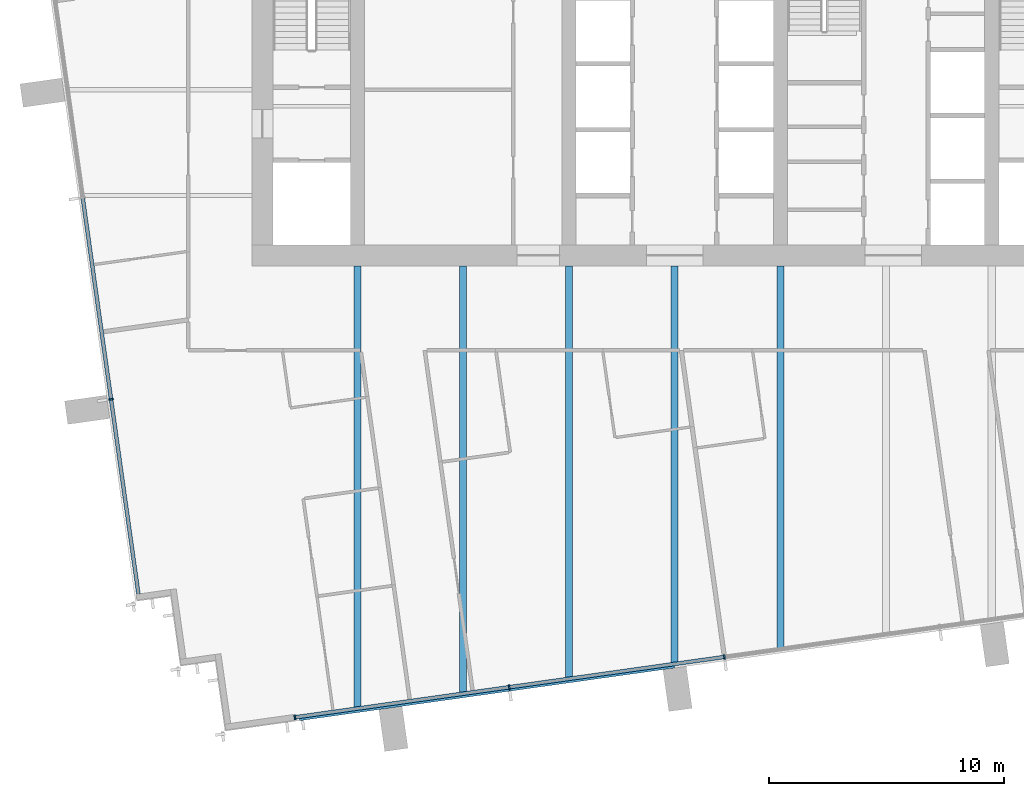
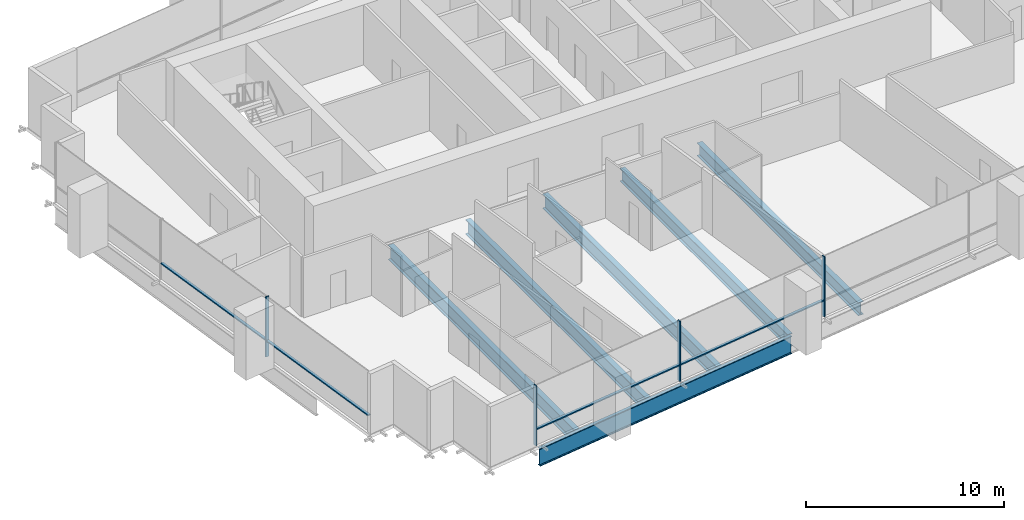
# One storey, part 2 of 12: 8 members, 6 beams, 2 elements without a shape of their own.
"""IFC4 building model written with IfcOpenShell, lengths in metres."""

import ifcopenshell
import ifcopenshell.guid

model = None  # the IFC model being written
_history = None  # IfcOwnerHistory: only IFC2X3 demands one
_inside = {}  # id of a spatial element -> (the spatial element, [elements in it])
_under = {}  # id of a project, library or spatial element -> (it, [spatial elements below it])
_declared = {}  # id of a project -> (the project, [libraries it declares])
_typed = {}  # id of a type object -> (the type object, [elements of that type])
_made_of = {}  # id of a material, layer set ... -> (it, [elements and type objects made of it])


def new_model(schema):
    """Start an empty IFC model of exactly this schema.

    Asked for "IFC4X3", IfcOpenShell would pick the latest addendum, in which some entities
    have other attributes; the version numbers below select the first issue.
    IFC2X3 requires an IfcOwnerHistory on every rooted entity: one is made here for all.
    """
    global model, _history
    if schema == "IFC4X3":
        model = ifcopenshell.file(schema_version=(4, 3, 0, 0))
    else:
        model = ifcopenshell.file(schema=schema)
    _inside.clear()
    _under.clear()
    _declared.clear()
    _typed.clear()
    _made_of.clear()
    _history = None
    if model.schema == "IFC2X3":
        org = make("IfcOrganization", Name="unknown")
        user = make(
            "IfcPersonAndOrganization",
            ThePerson=make("IfcPerson", FamilyName="unknown"),
            TheOrganization=org,
        )
        app = make(
            "IfcApplication",
            ApplicationDeveloper=org,
            Version="unknown",
            ApplicationFullName="unknown",
            ApplicationIdentifier="unknown",
        )
        _history = make(
            "IfcOwnerHistory",
            OwningUser=user,
            OwningApplication=app,
            ChangeAction="ADDED",
            CreationDate=0,
        )
    return model


def make(cls, **values):
    """One entity of the class cls with the attributes given. An attribute that is None is left unset."""
    return model.create_entity(
        cls, **{name: value for name, value in values.items() if value is not None}
    )


def rooted(cls, **values):
    """An entity with a GlobalId (a new one), such as an element, a storey or a relation."""
    return make(cls, GlobalId=ifcopenshell.guid.new(), OwnerHistory=_history, **values)


def si_unit(unit_type, name, prefix=None):
    """IfcSIUnit, for example si_unit("LENGTHUNIT", "METRE", prefix="MILLI")."""
    return make("IfcSIUnit", UnitType=unit_type, Prefix=prefix, Name=name)


def assignment(units):
    """IfcUnitAssignment: the units of a project."""
    return None if units is None else make("IfcUnitAssignment", Units=units)


def point(xyz):
    """IfcCartesianPoint."""
    return None if xyz is None else make("IfcCartesianPoint", Coordinates=xyz)


def direction(xyz):
    """IfcDirection."""
    return None if xyz is None else make("IfcDirection", DirectionRatios=xyz)


def frame(location, z_axis=None, x_axis=None):
    """IfcAxis2Placement3D, a coordinate frame: its origin and axes. An axis left out is left unset."""
    return make(
        "IfcAxis2Placement3D",
        Location=point(location),
        Axis=direction(z_axis),
        RefDirection=direction(x_axis),
    )


def frame_2d(location, x_axis=None):
    """IfcAxis2Placement2D, a coordinate frame in the plane: its origin and x axis."""
    return make(
        "IfcAxis2Placement2D", Location=point(location), RefDirection=direction(x_axis)
    )


def origin():
    """The frame at (0, 0, 0) with its axes left unset."""
    return frame((0.0, 0.0, 0.0))


def origin_2d():
    """The frame at (0, 0) in the plane with its x axis left unset."""
    return frame_2d((0.0, 0.0))


def place(relative_to, where):
    """IfcLocalPlacement: puts the frame where relative to a parent placement (None: the world)."""
    return make(
        "IfcLocalPlacement", PlacementRelTo=relative_to, RelativePlacement=where
    )


def context(
    kind, dimensions, precision=None, world=None, true_north=None, identifier=None
):
    """IfcGeometricRepresentationContext, for example the 3D "Model" context."""
    return make(
        "IfcGeometricRepresentationContext",
        ContextIdentifier=identifier,
        ContextType=kind,
        CoordinateSpaceDimension=dimensions,
        Precision=precision,
        WorldCoordinateSystem=world,
        TrueNorth=true_north,
    )


def subcontext(parent, identifier, kind, view, scale=None):
    """IfcGeometricRepresentationSubContext, for example "Body" below "Model"."""
    return make(
        "IfcGeometricRepresentationSubContext",
        ContextIdentifier=identifier,
        ContextType=kind,
        ParentContext=parent,
        TargetScale=scale,
        TargetView=view,
    )


def project(units=None, contexts=None):
    """IfcProject with its units and contexts."""
    return rooted(
        "IfcProject",
        Name="project",
        RepresentationContexts=contexts,
        UnitsInContext=assignment(units),
    )


def spatial(cls, under=None, at=None, **own):
    """A site, building, storey or space (cls), placed at a placement, below another one or the project."""
    s = rooted(cls, ObjectPlacement=at, **own)
    if under is not None:
        _under.setdefault(under.id(), (under, []))[1].append(s)
    return s


def profile(cls, at=None, kind="AREA", **sizes):
    """A parametric profile (cls). Its sizes go by their IFC names, for example OverallWidth=200.0."""
    return make(cls, ProfileType=kind, Position=at, **sizes)


def rectangle(**sizes):
    """IfcRectangleProfileDef."""
    return profile("IfcRectangleProfileDef", **sizes)


def i_section(**sizes):
    """IfcIShapeProfileDef."""
    return profile("IfcIShapeProfileDef", **sizes)


def extrude(swept, where, along, depth):
    """IfcExtrudedAreaSolid: the profile swept, set in the frame where, extruded along a direction by depth."""
    return make(
        "IfcExtrudedAreaSolid",
        SweptArea=swept,
        Position=where,
        ExtrudedDirection=direction(along),
        Depth=depth,
    )


def shape(context_of_items, identifier, shape_type, items):
    """IfcShapeRepresentation: the items that make up one representation, for example the "Body"."""
    return make(
        "IfcShapeRepresentation",
        ContextOfItems=context_of_items,
        RepresentationIdentifier=identifier,
        RepresentationType=shape_type,
        Items=items,
    )


def material(Name=None, Category=None):
    """IfcMaterial."""
    return make("IfcMaterial", Name=Name, Category=Category)


def layer(
    of_material, thickness, ventilated=None, Name=None, Category=None, Priority=None
):
    """IfcMaterialLayer: one layer of a wall or slab, of a material (None: an air gap)."""
    return make(
        "IfcMaterialLayer",
        Material=of_material,
        LayerThickness=thickness,
        IsVentilated=ventilated,
        Name=Name,
        Category=Category,
        Priority=Priority,
    )


def layer_set(layers, Name=None):
    """IfcMaterialLayerSet."""
    return make("IfcMaterialLayerSet", MaterialLayers=layers, LayerSetName=Name)


def material_profile(
    of_material, cross_section, Name=None, Category=None, Priority=None
):
    """IfcMaterialProfile: a cross section and its material."""
    return make(
        "IfcMaterialProfile",
        Name=Name,
        Material=of_material,
        Profile=cross_section,
        Priority=Priority,
        Category=Category,
    )


def profile_set(profiles, Name=None, composite=None):
    """IfcMaterialProfileSet."""
    return make(
        "IfcMaterialProfileSet",
        Name=Name,
        MaterialProfiles=profiles,
        CompositeProfile=composite,
    )


def made_of(thing, what):
    """Note that an element or type object is made of a material, layer set ...; save() writes the relation."""
    if what is not None:
        _made_of.setdefault(what.id(), (what, []))[1].append(thing)
    return thing


def type_object(cls, material=None, **own):
    """A type object (cls), such as IfcWallType, which elements share."""
    return made_of(rooted(cls, **own), material)


def element(
    cls,
    number,
    at=None,
    inside=None,
    cuts=None,
    type_object=None,
    material=None,
    context=None,
    identifier="Body",
    shape_type=None,
    held_by="IfcProductDefinitionShape",
    body=None,
    shapes=None,
    **own,
):
    """One element of the class cls, such as IfcWall. Its Tag is "e" and its number.

    at: its placement. inside: the storey or other place that contains it. cuts: it is an
    opening in that element (IfcRelVoidsElement). A single representation is given by context,
    identifier, shape_type and body (its items); several are given by shapes. held_by: the class
    of the entity that holds the representations. save() writes the other relations.
    """
    e = rooted(cls, Tag="e%d" % number, ObjectPlacement=at, **own)
    if body is not None:
        shapes = [shape(context, identifier, shape_type, body)]
    if shapes is not None:
        e.Representation = make(held_by, Representations=shapes)
    if inside is not None:
        _inside.setdefault(inside.id(), (inside, []))[1].append(e)
    if cuts is not None:
        rooted(
            "IfcRelVoidsElement", RelatingBuildingElement=cuts, RelatedOpeningElement=e
        )
    if type_object is not None:
        _typed.setdefault(type_object.id(), (type_object, []))[1].append(e)
    return made_of(e, material)


def aggregate(whole, parts):
    """IfcRelAggregates: a whole, such as a stair, and the parts it consists of."""
    return rooted("IfcRelAggregates", RelatingObject=whole, RelatedObjects=parts)


def save(model, path):
    """Write the relations noted so far, then the file.

    IfcRelAggregates (storeys below a building ...), IfcRelContainedInSpatialStructure (elements
    in a storey), IfcRelDefinesByType, IfcRelAssociatesMaterial and IfcRelDeclares: one each for
    every whole, place, type object, material and project.
    """
    for whole, parts in _under.values():
        aggregate(whole, parts)
    for where, things in _inside.values():
        rooted(
            "IfcRelContainedInSpatialStructure",
            RelatedElements=things,
            RelatingStructure=where,
        )
    for kind, things in _typed.values():
        rooted("IfcRelDefinesByType", RelatedObjects=things, RelatingType=kind)
    for what, things in _made_of.values():
        rooted("IfcRelAssociatesMaterial", RelatedObjects=things, RelatingMaterial=what)
    for by, libraries in _declared.values():
        rooted("IfcRelDeclares", RelatingContext=by, RelatedDefinitions=libraries)
    model.write(path)


model = new_model("IFC4")

# Units and contexts
model_context = context("Model", 3, precision=1e-05, world=origin(), true_north=direction((0.0, 1.0)))
body_context = subcontext(model_context, "Body", "Model", "MODEL_VIEW")
ifc_project = project(units=[si_unit("LENGTHUNIT", "METRE"), si_unit("AREAUNIT", "SQUARE_METRE"), si_unit("VOLUMEUNIT", "CUBIC_METRE"), si_unit("PLANEANGLEUNIT", "RADIAN"), si_unit("MASSUNIT", "GRAM", prefix="KILO")], contexts=[model_context])

# Site, building, storey
site_placement = place(None, origin())
site = spatial("IfcSite", under=ifc_project, at=site_placement, CompositionType="ELEMENT")
building_placement = place(site_placement, origin())
building = spatial("IfcBuilding", under=site, at=building_placement, Name="Rattan Terrace Tower", CompositionType="ELEMENT")
storey_placement = place(building_placement, frame((0.0, 0.0, 270.699951171875)))
storey = spatial("IfcBuildingStorey", under=building, at=storey_placement, Name="L62", CompositionType="ELEMENT", Elevation=270.699951171875)

# Beams
ifc_material_1 = material(Name="Steel S460", Category="steel")
ifc_material_profile_1 = material_profile(ifc_material_1, i_section(OverallWidth=0.179931640625, OverallDepth=1.10009765625, WebThickness=0.01611328125, FlangeThickness=0.050048828125, at=origin_2d()), Name="PG 1100x180-16-50")
ifc_profile_set_1 = profile_set([ifc_material_profile_1], Name="Steel S460")
beam_type_1 = type_object("IfcBeamType", Name="Frame edge girder PG 1100x180-16-50", PredefinedType="SPANDREL", material=ifc_profile_set_1)
beam_1_placement = place(storey_placement, frame((-15.969970703125, -26.77099609375, -0.75), z_axis=(0.990265456284, 0.139191688294, 0.0), x_axis=(-0.139191688294, 0.990265456284, 0.0)))
element("IfcBeam", 1, at=beam_1_placement, inside=storey, type_object=beam_type_1, Name="gdr-L62-001", PredefinedType="SPANDREL", context=body_context, shape_type="SweptSolid", body=[
    extrude(i_section(OverallWidth=0.179931640625, OverallDepth=1.10009765625, WebThickness=0.01611328125, FlangeThickness=0.050048828125, at=origin_2d()), origin(), (0.0, 0.0, 1.0), 16.114013671875),
])
ifc_material_2 = material(Name="Steel S355", Category="steel")
ifc_material_profile_2 = material_profile(ifc_material_2, i_section(OverallWidth=0.300048828125, OverallDepth=0.800048828125, WebThickness=0.017578125, FlangeThickness=0.032958984375, FilletRadius=0.030029296875, at=origin_2d()), Name="HE 800 B")
ifc_profile_set_2 = profile_set([ifc_material_profile_2], Name="Steel S355")
beam_type_2 = type_object("IfcBeamType", Name="Frame floor beam HE 800 B", PredefinedType="JOIST", material=ifc_profile_set_2)
beam_2_placement = place(storey_placement, frame((0.0, -24.4140625, -0.599853515625), z_axis=(0.0, 1.0, 0.0), x_axis=(-1.0, 0.0, 0.0)))
element("IfcBeam", 2, at=beam_2_placement, inside=storey, type_object=beam_type_2, Name="bm-L62-006", PredefinedType="JOIST", context=body_context, shape_type="SweptSolid", body=[
    extrude(i_section(OverallWidth=0.300048828125, OverallDepth=0.800048828125, WebThickness=0.017578125, FlangeThickness=0.032958984375, FilletRadius=0.030029296875, at=origin_2d()), origin(), (0.0, 0.0, 1.0), 16.9140625),
])
beam_3_placement = place(storey_placement, frame((4.5, -23.781982421875, -0.599853515625), z_axis=(0.0, 1.0, 0.0), x_axis=(-1.0, 0.0, 0.0)))
element("IfcBeam", 3, at=beam_3_placement, inside=storey, type_object=beam_type_2, Name="bm-L62-007", PredefinedType="JOIST", context=body_context, shape_type="SweptSolid", body=[
    extrude(i_section(OverallWidth=0.300048828125, OverallDepth=0.800048828125, WebThickness=0.017578125, FlangeThickness=0.032958984375, FilletRadius=0.030029296875, at=origin_2d()), origin(), (0.0, 0.0, 1.0), 16.281982421875),
])
ifc_material_3 = material(Name="Steel S355", Category="steel")
ifc_material_profile_3 = material_profile(ifc_material_3, i_section(OverallWidth=0.300048828125, OverallDepth=0.89990234375, WebThickness=0.0185546875, FlangeThickness=0.034912109375, FilletRadius=0.030029296875, at=origin_2d()), Name="HE 900 B")
ifc_profile_set_3 = profile_set([ifc_material_profile_3], Name="Steel S355")
beam_type_3 = type_object("IfcBeamType", Name="Frame floor beam HE 900 B", PredefinedType="JOIST", material=ifc_profile_set_3)
beam_4_placement = place(storey_placement, frame((-13.5, -26.31201171875, -0.64990234375), z_axis=(0.0, 1.0, 0.0), x_axis=(-1.0, 0.0, 0.0)))
element("IfcBeam", 4, at=beam_4_placement, inside=storey, type_object=beam_type_3, Name="bm-L62-003", PredefinedType="JOIST", context=body_context, shape_type="SweptSolid", body=[
    extrude(i_section(OverallWidth=0.300048828125, OverallDepth=0.89990234375, WebThickness=0.0185546875, FlangeThickness=0.034912109375, FilletRadius=0.030029296875, at=origin_2d()), origin(), (0.0, 0.0, 1.0), 18.81201171875),
])
beam_5_placement = place(storey_placement, frame((-9.0, -25.678955078125, -0.64990234375), z_axis=(0.0, 1.0, 0.0), x_axis=(-1.0, 0.0, 0.0)))
element("IfcBeam", 5, at=beam_5_placement, inside=storey, type_object=beam_type_3, Name="bm-L62-004", PredefinedType="JOIST", context=body_context, shape_type="SweptSolid", body=[
    extrude(i_section(OverallWidth=0.300048828125, OverallDepth=0.89990234375, WebThickness=0.0185546875, FlangeThickness=0.034912109375, FilletRadius=0.030029296875, at=origin_2d()), origin(), (0.0, 0.0, 1.0), 18.178955078125),
])
beam_6_placement = place(storey_placement, frame((-4.5, -25.047119140625, -0.64990234375), z_axis=(0.0, 1.0, 0.0), x_axis=(-1.0, 0.0, 0.0)))
element("IfcBeam", 6, at=beam_6_placement, inside=storey, type_object=beam_type_3, Name="bm-L62-005", PredefinedType="JOIST", context=body_context, shape_type="SweptSolid", body=[
    extrude(i_section(OverallWidth=0.300048828125, OverallDepth=0.89990234375, WebThickness=0.0185546875, FlangeThickness=0.034912109375, FilletRadius=0.030029296875, at=origin_2d()), origin(), (0.0, 0.0, 1.0), 17.547119140625),
])

# Curtain wall, member
ifc_material_4 = material(Name="Aluminium and laminated glass", Category="aluminium")
ifc_layer = layer(ifc_material_4, 0.199951171875)
ifc_layer_set = layer_set([ifc_layer], Name="High-Zone Unitised Curtain Wall")
curtain_wall_type = type_object("IfcCurtainWallType", Name="High-Zone Unitised Curtain Wall", PredefinedType="NOTDEFINED", material=ifc_layer_set)
curtain_wall_1_placement = place(storey_placement, origin())
curtain_wall_1 = element("IfcCurtainWall", 7, at=curtain_wall_1_placement, inside=storey, type_object=curtain_wall_type, Name="High-zone curtain wall L62-3", PredefinedType="NOTDEFINED")
ifc_material_5 = material(Name="Aluminium", Category="aluminium")
ifc_material_profile_4 = material_profile(ifc_material_5, rectangle(XDim=0.070068359375, YDim=0.199951171875, at=origin_2d()), Name="Aluminium 70x200")
ifc_profile_set_4 = profile_set([ifc_material_profile_4], Name="Aluminium")
member_type_1 = type_object("IfcMemberType", Name="High-Zone CW Mullion 70x200", PredefinedType="MULLION", material=ifc_profile_set_4)
member_1_placement = place(storey_placement, frame((-23.989990234375, -13.177490234375, 0.0), z_axis=(0.0, 0.0, 1.0), x_axis=(0.139191775431, -0.990265444036, 0.0)))
member_1 = element("IfcMember", 8, at=member_1_placement, type_object=member_type_1, Name="Mullion cwl-L62-003.3", PredefinedType="MULLION", context=body_context, shape_type="SweptSolid", body=[
    extrude(rectangle(XDim=0.070068359375, YDim=0.199951171875, at=origin_2d()), origin(), (0.0, 0.0, 1.0), 3.699951171875),
])

# Curtain wall, members
curtain_wall_2_placement = place(storey_placement, origin())
curtain_wall_2 = element("IfcCurtainWall", 9, at=curtain_wall_2_placement, inside=storey, type_object=curtain_wall_type, Name="High-zone curtain wall L62-4", PredefinedType="NOTDEFINED")
member_2_placement = place(storey_placement, frame((-16.1650390625, -26.716796875, 0.0), z_axis=(0.0, 0.0, 1.0), x_axis=(0.990265894013, 0.139188574079, 0.0)))
member_2 = element("IfcMember", 10, at=member_2_placement, type_object=member_type_1, Name="Mullion cwl-L62-004.1", PredefinedType="MULLION", context=body_context, shape_type="SweptSolid", body=[
    extrude(rectangle(XDim=0.070068359375, YDim=0.199951171875, at=origin_2d()), origin(), (0.0, 0.0, 1.0), 3.699951171875),
])
member_3_placement = place(storey_placement, frame((-7.040771484375, -25.434326171875, 0.0), z_axis=(0.0, 0.0, 1.0), x_axis=(0.990265894013, 0.139188574079, 0.0)))
member_3 = element("IfcMember", 11, at=member_3_placement, type_object=member_type_1, Name="Mullion cwl-L62-004.2", PredefinedType="MULLION", context=body_context, shape_type="SweptSolid", body=[
    extrude(rectangle(XDim=0.070068359375, YDim=0.199951171875, at=origin_2d()), origin(), (0.0, 0.0, 1.0), 3.699951171875),
])
member_4_placement = place(storey_placement, frame((2.1181640625, -24.14697265625, 0.0), z_axis=(0.0, 0.0, 1.0), x_axis=(0.990265894013, 0.139188574079, 0.0)))
member_4 = element("IfcMember", 12, at=member_4_placement, type_object=member_type_1, Name="Mullion cwl-L62-004.3", PredefinedType="MULLION", context=body_context, shape_type="SweptSolid", body=[
    extrude(rectangle(XDim=0.070068359375, YDim=0.199951171875, at=origin_2d()), origin(), (0.0, 0.0, 1.0), 3.699951171875),
])

# Member
ifc_material_6 = material(Name="Aluminium", Category="aluminium")
ifc_material_profile_5 = material_profile(ifc_material_6, rectangle(XDim=0.159912109375, YDim=0.070068359375, at=origin_2d()), Name="Aluminium 160x70")
ifc_profile_set_5 = profile_set([ifc_material_profile_5], Name="Aluminium")
member_type_2 = type_object("IfcMemberType", Name="High-Zone CW Transom 160x70", PredefinedType="USERDEFINED", material=ifc_profile_set_5)
member_5_placement = place(storey_placement, frame((-25.19140625, -4.629638671875, 1.0), z_axis=(0.139182599995, -0.990266733693, 0.0), x_axis=(0.990266733693, 0.139182599995, 0.0)))
member_5 = element("IfcMember", 13, at=member_5_placement, type_object=member_type_2, Name="Transom cwl-L62-003.2", ObjectType="TRANSOM", PredefinedType="USERDEFINED", context=body_context, shape_type="SweptSolid", body=[
    extrude(rectangle(XDim=0.159912109375, YDim=0.070068359375, at=origin_2d()), origin(), (0.0, 0.0, 1.0), 8.596923828125),
])

member_6_placement = place(storey_placement, frame((-23.985107421875, -13.212158203125, 1.0), z_axis=(0.139198740199, -0.990264465043, 0.0), x_axis=(0.990264465043, 0.139198740199, 0.0)))
member_6 = element("IfcMember", 14, at=member_6_placement, type_object=member_type_2, Name="Transom cwl-L62-003.3", ObjectType="TRANSOM", PredefinedType="USERDEFINED", context=body_context, shape_type="SweptSolid", body=[
    extrude(rectangle(XDim=0.159912109375, YDim=0.070068359375, at=origin_2d()), origin(), (0.0, 0.0, 1.0), 8.336181640625),
])

aggregate(curtain_wall_1, [member_1, member_5, member_6])

member_7_placement = place(storey_placement, frame((-16.13037109375, -26.7119140625, 1.0), z_axis=(0.990266298783, 0.139185694291, 0.0), x_axis=(-0.139185694291, 0.990266298783, 0.0)))
member_7 = element("IfcMember", 15, at=member_7_placement, type_object=member_type_2, Name="Transom cwl-L62-004.1", ObjectType="TRANSOM", PredefinedType="USERDEFINED", context=body_context, shape_type="SweptSolid", body=[
    extrude(rectangle(XDim=0.159912109375, YDim=0.070068359375, at=origin_2d()), origin(), (0.0, 0.0, 1.0), 9.14404296875),
])

member_8_placement = place(storey_placement, frame((-7.006103515625, -25.429443359375, 1.0), z_axis=(0.990266147156, 0.139186773067, 0.0), x_axis=(-0.139186773067, 0.990266147156, 0.0)))
member_8 = element("IfcMember", 16, at=member_8_placement, type_object=member_type_2, Name="Transom cwl-L62-004.2", ObjectType="TRANSOM", PredefinedType="USERDEFINED", context=body_context, shape_type="SweptSolid", body=[
    extrude(rectangle(XDim=0.159912109375, YDim=0.070068359375, at=origin_2d()), origin(), (0.0, 0.0, 1.0), 9.178955078125),
])

aggregate(curtain_wall_2, [member_2, member_3, member_4, member_7, member_8])

save(model, "model.ifc")
